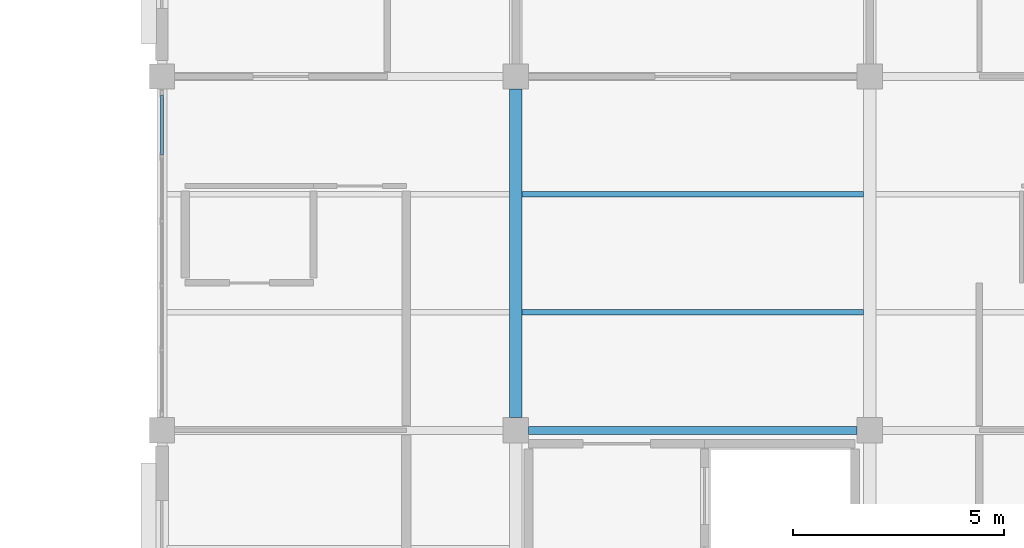
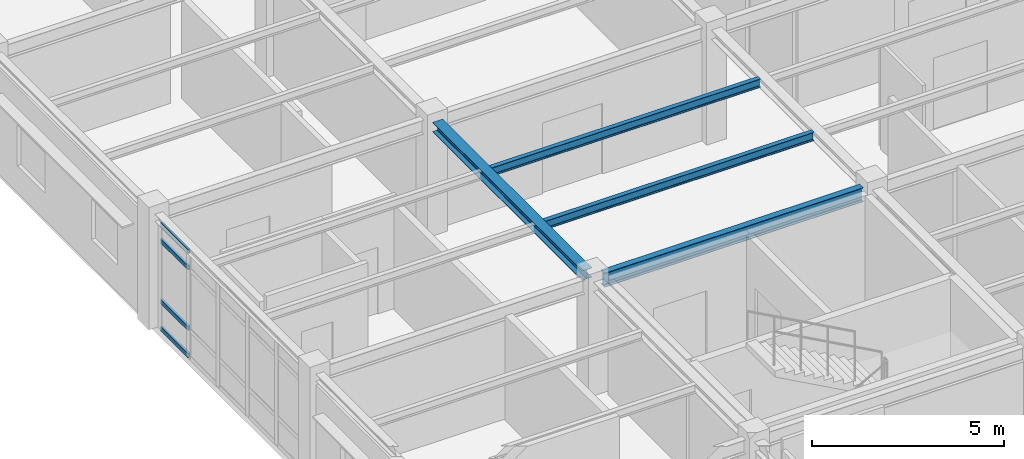
# One storey, part 3 of 70: 4 beams, 4 members, 1 element without a shape of its own.
"""IFC4 building model written with IfcOpenShell, lengths in metres."""

from ifc_helpers import new_model, si_unit, direction, frame, origin, origin_2d, place, context, subcontext, project, spatial, hollow_rectangle, i_section, extrude, material, layer, layer_set, material_profile, profile_set, type_object, element, aggregate, save


model = new_model("IFC4")

# Units and contexts
model_context = context("Model", 3, precision=1e-05, world=origin(), true_north=direction((0.0, 1.0)))
body_context = subcontext(model_context, "Body", "Model", "MODEL_VIEW")
ifc_project = project(units=[si_unit("LENGTHUNIT", "METRE"), si_unit("AREAUNIT", "SQUARE_METRE"), si_unit("VOLUMEUNIT", "CUBIC_METRE"), si_unit("PLANEANGLEUNIT", "RADIAN"), si_unit("MASSUNIT", "GRAM", prefix="KILO")], contexts=[model_context])

# Site, building, storey
site_placement = place(None, origin())
site = spatial("IfcSite", under=ifc_project, at=site_placement, CompositionType="ELEMENT")
building_placement = place(site_placement, origin())
building = spatial("IfcBuilding", under=site, at=building_placement, Name="Bramfleet General Hospital", CompositionType="ELEMENT")
storey_placement = place(building_placement, frame((0.0, 0.0, 22.5)))
storey = spatial("IfcBuildingStorey", under=building, at=storey_placement, Name="L05", CompositionType="ELEMENT", Elevation=22.5)

# Beams
ifc_material_1 = material(Name="Steel S355", Category="steel")
ifc_material_profile_1 = material_profile(ifc_material_1, i_section(OverallWidth=0.300048828125, OverallDepth=0.31005859375, WebThickness=0.009033203125, FlangeThickness=0.015380859375, FilletRadius=0.027099609375, at=origin_2d()), Name="HEA 320")
ifc_profile_set_1 = profile_set([ifc_material_profile_1], Name="Steel S355")
beam_type_1 = type_object("IfcBeamType", Name="BM-HEA320", PredefinedType="BEAM", material=ifc_profile_set_1)
beam_1_placement = place(storey_placement, frame((100.800048828125, 17.10009765625, 3.465087890625), z_axis=(0.0, 1.0, 0.0), x_axis=(-1.0, 0.0, 0.0)))
element("IfcBeam", 1, at=beam_1_placement, inside=storey, type_object=beam_type_1, Name="L05 Grid Beam Y 12-02", PredefinedType="BEAM", context=body_context, shape_type="SweptSolid", body=[
    extrude(i_section(OverallWidth=0.300048828125, OverallDepth=0.31005859375, WebThickness=0.009033203125, FlangeThickness=0.015380859375, FilletRadius=0.027099609375, at=origin_2d()), origin(), (0.0, 0.0, 1.0), 7.7998046875),
])
ifc_material_profile_2 = material_profile(ifc_material_1, i_section(OverallWidth=0.135009765625, OverallDepth=0.27001953125, WebThickness=0.006591796875, FlangeThickness=0.01025390625, FilletRadius=0.014892578125, at=origin_2d()), Name="IPE 270")
ifc_profile_set_2 = profile_set([ifc_material_profile_2], Name="Steel S355")
beam_type_2 = type_object("IfcBeamType", Name="BM-IPE270", PredefinedType="JOIST", material=ifc_profile_set_2)
for number, where, z_axis, x_axis, name in (
    (2, (100.949951171875, 19.60009765625, 3.485107421875), (1.0, 0.0, 0.0), (0.0, 1.0, 0.0), "L05 Secondary Joist 12-02-1"),
    (3, (100.949951171875, 22.39990234375, 3.485107421875), (1.0, 0.0, 0.0), (0.0, 1.0, 0.0), "L05 Secondary Joist 12-02-2"),
):
    element("IfcBeam", number, at=place(storey_placement, frame(where, z_axis=z_axis, x_axis=x_axis)), inside=storey, type_object=beam_type_2, Name=name, PredefinedType="JOIST", context=body_context, shape_type="SweptSolid", body=[
        extrude(i_section(OverallWidth=0.135009765625, OverallDepth=0.27001953125, WebThickness=0.006591796875, FlangeThickness=0.01025390625, FilletRadius=0.014892578125, at=origin_2d()), origin(), (0.0, 0.0, 1.0), 8.10009765625),
    ])
ifc_material_profile_3 = material_profile(ifc_material_1, i_section(OverallWidth=0.18994140625, OverallDepth=0.449951171875, WebThickness=0.009521484375, FlangeThickness=0.0146484375, FilletRadius=0.02099609375, at=origin_2d()), Name="IPE 450")
ifc_profile_set_3 = profile_set([ifc_material_profile_3], Name="Steel S355")
beam_type_3 = type_object("IfcBeamType", Name="BM-IPE450", PredefinedType="BEAM", material=ifc_profile_set_3)
beam_2_placement = place(storey_placement, frame((101.10009765625, 16.800048828125, 3.39501953125), z_axis=(1.0, 0.0, 0.0), x_axis=(0.0, 1.0, 0.0)))
element("IfcBeam", 4, at=beam_2_placement, inside=storey, type_object=beam_type_3, Name="L05 Grid Beam X 12-02", PredefinedType="BEAM", context=body_context, shape_type="SweptSolid", body=[
    extrude(i_section(OverallWidth=0.18994140625, OverallDepth=0.449951171875, WebThickness=0.009521484375, FlangeThickness=0.0146484375, FilletRadius=0.02099609375, at=origin_2d()), origin(), (0.0, 0.0, 1.0), 7.7998046875),
])

# Curtain wall, members
ifc_material_2 = material(Name="Anodised aluminium and low-E triple glazing", Category="aluminium")
ifc_layer = layer(ifc_material_2, 0.179931640625, Name="CWT-CW-13")
ifc_layer_set = layer_set([ifc_layer], Name="Anodised aluminium and low-E triple glazing")
curtain_wall_type = type_object("IfcCurtainWallType", Name="CWT-CW-13", PredefinedType="USERDEFINED", material=ifc_layer_set)
curtain_wall_placement = place(storey_placement, origin())
curtain_wall = element("IfcCurtainWall", 5, at=curtain_wall_placement, inside=storey, type_object=curtain_wall_type, Name="L05 Curtain Wall 211", ObjectType="Stick curtain wall", PredefinedType="USERDEFINED")
ifc_material_3 = material(Name="Anodised aluminium EN AW-6060", Category="aluminium")
ifc_material_profile_4 = material_profile(ifc_material_3, hollow_rectangle(XDim=0.06494140625, YDim=0.139892578125, WallThickness=0.00390625, at=origin_2d()), Name="ALU 140x65x4.0")
ifc_profile_set_4 = profile_set([ifc_material_profile_4], Name="Anodised aluminium EN AW-6060")
member_type = type_object("IfcMemberType", Name="CWT-ALU140", PredefinedType="USERDEFINED", material=ifc_profile_set_4)
member_1_placement = place(storey_placement, frame((92.39990234375, 23.330078125, 0.032470703125), z_axis=(0.0, 1.0, 0.0), x_axis=(-1.0, 0.0, 0.0)))
member_1 = element("IfcMember", 6, at=member_1_placement, type_object=member_type, Name="CW-13 transom 5.1", ObjectType="TRANSOM", PredefinedType="USERDEFINED", context=body_context, shape_type="SweptSolid", body=[
    extrude(hollow_rectangle(XDim=0.06494140625, YDim=0.139892578125, WallThickness=0.00390625, at=origin_2d()), origin(), (0.0, 0.0, 1.0), 1.4248046875),
])
member_2_placement = place(storey_placement, frame((92.39990234375, 23.330078125, 0.89990234375), z_axis=(0.0, 1.0, 0.0), x_axis=(-1.0, 0.0, 0.0)))
member_2 = element("IfcMember", 7, at=member_2_placement, type_object=member_type, Name="CW-13 transom 5.2", ObjectType="TRANSOM", PredefinedType="USERDEFINED", context=body_context, shape_type="SweptSolid", body=[
    extrude(hollow_rectangle(XDim=0.06494140625, YDim=0.139892578125, WallThickness=0.00390625, at=origin_2d()), origin(), (0.0, 0.0, 1.0), 1.4248046875),
])
member_3_placement = place(storey_placement, frame((92.39990234375, 23.330078125, 2.830078125), z_axis=(0.0, 1.0, 0.0), x_axis=(-1.0, 0.0, 0.0)))
member_3 = element("IfcMember", 8, at=member_3_placement, type_object=member_type, Name="CW-13 transom 5.3", ObjectType="TRANSOM", PredefinedType="USERDEFINED", context=body_context, shape_type="SweptSolid", body=[
    extrude(hollow_rectangle(XDim=0.06494140625, YDim=0.139892578125, WallThickness=0.00390625, at=origin_2d()), origin(), (0.0, 0.0, 1.0), 1.4248046875),
])
member_4_placement = place(storey_placement, frame((92.39990234375, 23.330078125, 3.347412109375), z_axis=(0.0, 1.0, 0.0), x_axis=(-1.0, 0.0, 0.0)))
member_4 = element("IfcMember", 9, at=member_4_placement, type_object=member_type, Name="CW-13 transom 5.4", ObjectType="TRANSOM", PredefinedType="USERDEFINED", context=body_context, shape_type="SweptSolid", body=[
    extrude(hollow_rectangle(XDim=0.06494140625, YDim=0.139892578125, WallThickness=0.00390625, at=origin_2d()), origin(), (0.0, 0.0, 1.0), 1.4248046875),
])
aggregate(curtain_wall, [member_1, member_2, member_3, member_4])

save(model, "model.ifc")
